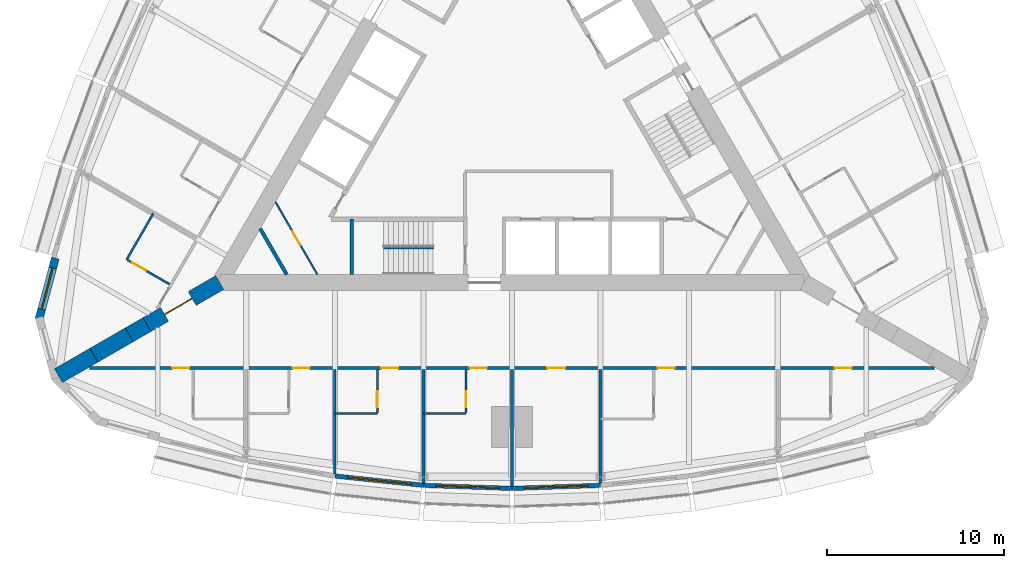
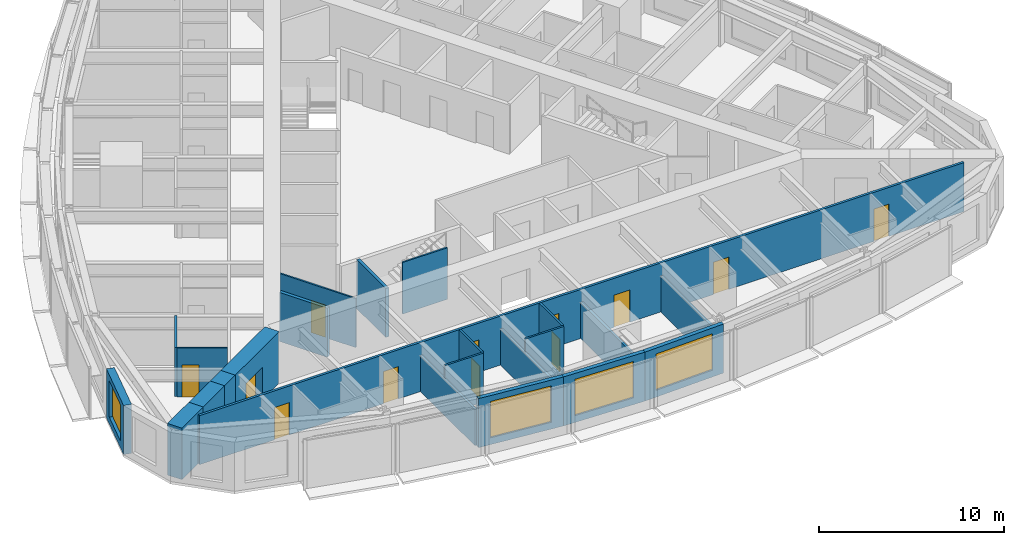
# One storey, part 8 of 14: 23 walls, 12 doors, 4 windows, 16 openings.
"""IFC4 building model written with IfcOpenShell, lengths in metres."""

from ifc_helpers import new_model, si_unit, direction, frame, frame_2d, origin, place, context, subcontext, project, spatial, rectangle, extrude, material, layer, layer_set, type_object, element, fill, save


model = new_model("IFC4")

# Units and contexts
model_context = context("Model", 3, precision=1e-05, world=origin(), true_north=direction((0.0, 1.0)))
body_context = subcontext(model_context, "Body", "Model", "MODEL_VIEW")
ifc_project = project(units=[si_unit("LENGTHUNIT", "METRE"), si_unit("AREAUNIT", "SQUARE_METRE"), si_unit("VOLUMEUNIT", "CUBIC_METRE"), si_unit("PLANEANGLEUNIT", "RADIAN"), si_unit("MASSUNIT", "GRAM", prefix="KILO")], contexts=[model_context])

# Site, building, storey
site_placement = place(None, origin())
site = spatial("IfcSite", under=ifc_project, at=site_placement, CompositionType="ELEMENT")
building_placement = place(site_placement, origin())
building = spatial("IfcBuilding", under=site, at=building_placement, Name="Trikona Tower", CompositionType="ELEMENT")
storey_placement = place(building_placement, frame((0.0, 0.0, 118.10009765625)))
storey = spatial("IfcBuildingStorey", under=building, at=storey_placement, Name="L30", CompositionType="ELEMENT", Elevation=118.10009765625)

# Wall
ifc_material_1 = material(Name="Metal stud and cement board", Category="gypsum")
ifc_layer_1 = layer(ifc_material_1, 0.1201171875)
ifc_layer_set_1 = layer_set([ifc_layer_1], Name="Bathroom wall 120")
wall_type_1 = type_object("IfcWallType", Name="Bathroom wall 120", PredefinedType="PLUMBINGWALL", material=ifc_layer_set_1)
wall_1_placement = place(storey_placement, frame((-10.0, -16.92626953125, 0.0), z_axis=(0.0, 0.0, 1.0), x_axis=(1.0, 0.0, 0.0)))
element("IfcWall", 1, at=wall_1_placement, inside=storey, type_object=wall_type_1, Name="Bathroom wall 3003", PredefinedType="PLUMBINGWALL", context=body_context, shape_type="SweptSolid", body=[
    extrude(rectangle(XDim=2.39990234375, YDim=0.1201171875, at=frame_2d((1.199951171875, 0.0))), origin(), (0.0, 0.0, 1.0), 3.23486328125),
])

# Wall, opening, door
wall_2_placement = place(storey_placement, frame((-7.60009765625, -14.42626953125, 0.0), z_axis=(0.0, 0.0, 1.0), x_axis=(0.0, -1.0, 0.0)))
wall_2 = element("IfcWall", 2, at=wall_2_placement, inside=storey, type_object=wall_type_1, Name="Bathroom wall 3003", PredefinedType="PLUMBINGWALL", context=body_context, shape_type="SweptSolid", body=[
    extrude(rectangle(XDim=2.43994140625, YDim=0.1201171875, at=frame_2d((1.219970703125, 0.0))), origin(), (0.0, 0.0, 1.0), 3.23486328125),
])
opening_1_placement = place(wall_2_placement, frame((1.25, 0.0, 0.0)))
opening_1 = element("IfcOpeningElement", 3, at=opening_1_placement, cuts=wall_2, Name="Opening D2", PredefinedType="OPENING", context=body_context, shape_type="SweptSolid", body=[
    extrude(rectangle(XDim=0.89990234375, YDim=2.1298828125, at=frame_2d((0.449951171875, 1.06494140625))), frame((0.0, 0.070068359375, 0.0), z_axis=(0.0, -1.0, 0.0), x_axis=(1.0, 0.0, 0.0)), (0.0, 0.0, 1.0), 0.14013671875),
])
ifc_material_2 = material(Name="Steel door frame with solid-core timber leaf", Category="steel")
door_type_1 = type_object("IfcDoorType", Name="Bathroom door 900x2130", OperationType="SLIDING_TO_LEFT", PredefinedType="DOOR", material=ifc_material_2)
door_1_placement = place(opening_1_placement, origin())
door_1 = element("IfcDoor", 4, at=door_1_placement, inside=storey, type_object=door_type_1, Name="Bathroom door 3003", OperationType="SLIDING_TO_LEFT", OverallHeight=2.1298828125, OverallWidth=0.89990234375, PredefinedType="DOOR", context=body_context, shape_type="SweptSolid", body=[
    extrude(rectangle(XDim=0.89990234375, YDim=2.1298828125, at=frame_2d((0.449951171875, 1.06494140625))), frame((0.0, 0.02490234375, 0.0), z_axis=(0.0, -1.0, 0.0), x_axis=(1.0, 0.0, 0.0)), (0.0, 0.0, 1.0), 0.050048828125),
])
fill(opening_1, door_1)

# Wall
wall_3_placement = place(storey_placement, frame((-5.0, -16.92626953125, 0.0), z_axis=(0.0, 0.0, 1.0), x_axis=(1.0, 0.0, 0.0)))
element("IfcWall", 5, at=wall_3_placement, inside=storey, type_object=wall_type_1, Name="Bathroom wall 3004", PredefinedType="PLUMBINGWALL", context=body_context, shape_type="SweptSolid", body=[
    extrude(rectangle(XDim=2.39990234375, YDim=0.1201171875, at=frame_2d((1.199951171875, 0.0))), origin(), (0.0, 0.0, 1.0), 3.23486328125),
])

# Wall, opening, door
wall_4_placement = place(storey_placement, frame((-2.60009765625, -14.42626953125, 0.0), z_axis=(0.0, 0.0, 1.0), x_axis=(0.0, -1.0, 0.0)))
wall_4 = element("IfcWall", 6, at=wall_4_placement, inside=storey, type_object=wall_type_1, Name="Bathroom wall 3004", PredefinedType="PLUMBINGWALL", context=body_context, shape_type="SweptSolid", body=[
    extrude(rectangle(XDim=2.43994140625, YDim=0.1201171875, at=frame_2d((1.219970703125, 0.0))), origin(), (0.0, 0.0, 1.0), 3.23486328125),
])
opening_2_placement = place(wall_4_placement, frame((1.25, 0.0, 0.0)))
opening_2 = element("IfcOpeningElement", 7, at=opening_2_placement, cuts=wall_4, Name="Opening D2", PredefinedType="OPENING", context=body_context, shape_type="SweptSolid", body=[
    extrude(rectangle(XDim=0.89990234375, YDim=2.1298828125, at=frame_2d((0.449951171875, 1.06494140625))), frame((0.0, 0.070068359375, 0.0), z_axis=(0.0, -1.0, 0.0), x_axis=(1.0, 0.0, 0.0)), (0.0, 0.0, 1.0), 0.14013671875),
])
door_2_placement = place(opening_2_placement, origin())
door_2 = element("IfcDoor", 8, at=door_2_placement, inside=storey, type_object=door_type_1, Name="Bathroom door 3004", OperationType="SLIDING_TO_LEFT", OverallHeight=2.1298828125, OverallWidth=0.89990234375, PredefinedType="DOOR", context=body_context, shape_type="SweptSolid", body=[
    extrude(rectangle(XDim=0.89990234375, YDim=2.1298828125, at=frame_2d((0.449951171875, 1.06494140625))), frame((0.0, 0.02490234375, 0.0), z_axis=(0.0, -1.0, 0.0), x_axis=(1.0, 0.0, 0.0)), (0.0, 0.0, 1.0), 0.050048828125),
])
fill(opening_2, door_2)

# Wall
wall_5_placement = place(storey_placement, frame((-20.25341796875, -5.627197265625, 0.0), z_axis=(0.0, 0.0, 1.0), x_axis=(-0.499990139034, -0.866031096941, 0.0)))
element("IfcWall", 9, at=wall_5_placement, inside=storey, type_object=wall_type_1, Name="Bathroom wall 3019", PredefinedType="PLUMBINGWALL", context=body_context, shape_type="SweptSolid", body=[
    extrude(rectangle(XDim=3.0, YDim=0.1201171875, at=frame_2d((1.5, 0.0))), origin(), (0.0, 0.0, 1.0), 3.23486328125),
])

# Wall, opening, door
wall_6_placement = place(storey_placement, frame((-19.32861328125, -9.625244140625, 0.0), z_axis=(0.0, 0.0, 1.0), x_axis=(-0.866035715982, 0.499982138324, 0.0)))
wall_6 = element("IfcWall", 10, at=wall_6_placement, inside=storey, type_object=wall_type_1, Name="Bathroom wall 3019", PredefinedType="PLUMBINGWALL", context=body_context, shape_type="SweptSolid", body=[
    extrude(rectangle(XDim=2.73974609375, YDim=0.1201171875, at=frame_2d((1.369873046875, 0.0))), origin(), (0.0, 0.0, 1.0), 3.23486328125),
])
opening_3_placement = place(wall_6_placement, frame((1.550048828125, 0.0, 0.0)))
opening_3 = element("IfcOpeningElement", 11, at=opening_3_placement, cuts=wall_6, Name="Opening D2", PredefinedType="OPENING", context=body_context, shape_type="SweptSolid", body=[
    extrude(rectangle(XDim=0.89990234375, YDim=2.1298828125, at=frame_2d((0.449951171875, 1.06494140625))), frame((0.0, 0.070068359375, 0.0), z_axis=(0.0, -1.0, 0.0), x_axis=(1.0, 0.0, 0.0)), (0.0, 0.0, 1.0), 0.14013671875),
])
door_3_placement = place(opening_3_placement, origin())
door_3 = element("IfcDoor", 12, at=door_3_placement, inside=storey, type_object=door_type_1, Name="Bathroom door 3019", OperationType="SLIDING_TO_LEFT", OverallHeight=2.1298828125, OverallWidth=0.89990234375, PredefinedType="DOOR", context=body_context, shape_type="SweptSolid", body=[
    extrude(rectangle(XDim=0.89990234375, YDim=2.1298828125, at=frame_2d((0.449951171875, 1.06494140625))), frame((0.0, 0.02490234375, 0.0), z_axis=(0.0, -1.0, 0.0), x_axis=(1.0, 0.0, 0.0)), (0.0, 0.0, 1.0), 0.050048828125),
])
fill(opening_3, door_3)

# Wall, opening, window
ifc_material_3 = material(Name="Brick-faced precast concrete", Category="masonry")
ifc_layer_2 = layer(ifc_material_3, 0.449951171875)
ifc_layer_set_2 = layer_set([ifc_layer_2], Name="Brick-faced corner wall 450")
wall_type_2 = type_object("IfcWallType", Name="Brick-faced corner wall 450", PredefinedType="SOLIDWALL", material=ifc_layer_set_2)
wall_7_placement = place(storey_placement, frame((-25.78271484375, -8.14111328125, 0.0), z_axis=(0.0, 0.0, 1.0), x_axis=(-0.258823421857, -0.965924653531, 0.0)))
wall_7 = element("IfcWall", 13, at=wall_7_placement, inside=storey, type_object=wall_type_2, Name="External wall L30-32", PredefinedType="SOLIDWALL", context=body_context, shape_type="SweptSolid", body=[
    extrude(rectangle(XDim=3.58642578125, YDim=0.449951171875, at=frame_2d((1.793212890625, 0.0))), origin(), (0.0, 0.0, 1.0), 3.23486328125),
])
opening_4_placement = place(wall_7_placement, frame((0.593017578125, 0.0, 0.449951171875)))
opening_4 = element("IfcOpeningElement", 14, at=opening_4_placement, cuts=wall_7, Name="Opening W2424", PredefinedType="OPENING", context=body_context, shape_type="SweptSolid", body=[
    extrude(rectangle(XDim=2.39990234375, YDim=2.39990234375, at=frame_2d((1.199951171875, 1.199951171875))), frame((0.0, 0.23486328125, 0.0), z_axis=(0.0, -1.0, 0.0), x_axis=(1.0, 0.0, 0.0)), (0.0, 0.0, 1.0), 0.469970703125),
])
ifc_material_4 = material(Name="Aluminium-framed double glazing", Category="aluminium")
window_type_1 = type_object("IfcWindowType", Name="Window 2400x2400", PartitioningType="SINGLE_PANEL", PredefinedType="WINDOW", material=ifc_material_4)
window_1_placement = place(opening_4_placement, origin())
window_1 = element("IfcWindow", 15, at=window_1_placement, inside=storey, type_object=window_type_1, Name="Window 3019", OverallHeight=2.39990234375, OverallWidth=2.39990234375, PartitioningType="SINGLE_PANEL", PredefinedType="WINDOW", context=body_context, shape_type="SweptSolid", body=[
    extrude(rectangle(XDim=2.39990234375, YDim=2.39990234375, at=frame_2d((1.199951171875, 1.199951171875))), frame((0.0, 0.030029296875, 0.0), z_axis=(0.0, -1.0, 0.0), x_axis=(1.0, 0.0, 0.0)), (0.0, 0.0, 1.0), 0.06005859375),
])
fill(opening_4, window_1)

# Wall, opening, door
ifc_material_5 = material(Name="Concrete f'c 10000 psi", Category="concrete")
ifc_layer_3 = layer(ifc_material_5, 0.89990234375)
ifc_layer_set_3 = layer_set([ifc_layer_3], Name="Buttress wall 900")
wall_type_3 = type_object("IfcWallType", Name="Buttress wall 900", PredefinedType="SHEAR", material=ifc_layer_set_3)
wall_8_placement = place(storey_placement, frame((-16.5, -9.5263671875, 0.0), z_axis=(0.0, 0.0, 1.0), x_axis=(-0.866031398331, -0.499989616998, 0.0)))
wall_8 = element("IfcWall", 16, at=wall_8_placement, inside=storey, type_object=wall_type_3, Name="Buttress wall 3", PredefinedType="SHEAR", context=body_context, shape_type="SweptSolid", body=[
    extrude(rectangle(XDim=4.74609375, YDim=0.89990234375, at=frame_2d((2.373046875, 0.0))), origin(), (0.0, 0.0, 1.0), 3.39990234375),
])
opening_5_placement = place(wall_8_placement, frame((1.800048828125, 0.0, 0.0)))
opening_5 = element("IfcOpeningElement", 17, at=opening_5_placement, cuts=wall_8, Name="Opening D10", PredefinedType="OPENING", context=body_context, shape_type="SweptSolid", body=[
    extrude(rectangle(XDim=1.800048828125, YDim=2.1298828125, at=frame_2d((0.89990234375, 1.06494140625))), frame((0.0, 0.4599609375, 0.0), z_axis=(0.0, -1.0, 0.0), x_axis=(1.0, 0.0, 0.0)), (0.0, 0.0, 1.0), 0.919921875),
])
ifc_material_6 = material(Name="Hollow metal door and frame", Category="steel")
door_type_2 = type_object("IfcDoorType", Name="Cross-corridor door pair 1800x2130", OperationType="DOUBLE_DOOR_DOUBLE_SWING", PredefinedType="DOOR", material=ifc_material_6)
door_4_placement = place(opening_5_placement, origin())
door_4 = element("IfcDoor", 18, at=door_4_placement, inside=storey, type_object=door_type_2, Name="Cross-corridor door 3", OperationType="DOUBLE_DOOR_DOUBLE_SWING", OverallHeight=2.1298828125, OverallWidth=1.800048828125, PredefinedType="DOOR", context=body_context, shape_type="SweptSolid", body=[
    extrude(rectangle(XDim=1.800048828125, YDim=2.1298828125, at=frame_2d((0.89990234375, 1.06494140625))), frame((0.0, 0.02490234375, 0.0), z_axis=(0.0, -1.0, 0.0), x_axis=(1.0, 0.0, 0.0)), (0.0, 0.0, 1.0), 0.050048828125),
])
fill(opening_5, door_4)

# Walls
wall_9_placement = place(storey_placement, frame((-20.6103515625, -11.8994140625, 0.0), z_axis=(0.0, 0.0, 1.0), x_axis=(-0.866009537788, -0.500027479704, 0.0)))
element("IfcWall", 19, at=wall_9_placement, inside=storey, type_object=wall_type_3, Name="Buttress wall 3 part 2", PredefinedType="SHEAR", context=body_context, shape_type="SweptSolid", body=[
    extrude(rectangle(XDim=1.15478515625, YDim=0.89990234375, at=frame_2d((0.577392578125, 0.0))), origin(), (0.0, 0.0, 1.0), 3.39990234375),
])
for number, where, z_axis, x_axis, name in (
    (20, (-21.6103515625, -12.476806640625, 0.0), (0.0, 0.0, 1.0), (-0.866055313784, -0.499948190782, 0.0), "Buttress wall 3 part 3"),
    (21, (-23.6103515625, -13.63134765625, 0.0), (0.0, 0.0, 1.0), (-0.866009537788, -0.500027479704, 0.0), "Buttress wall 3 part 4"),
):
    element("IfcWall", number, at=place(storey_placement, frame(where, z_axis=z_axis, x_axis=x_axis)), inside=storey, type_object=wall_type_3, Name=name, PredefinedType="SHEAR", context=body_context, shape_type="SweptSolid", body=[
        extrude(rectangle(XDim=2.309326171875, YDim=0.89990234375, at=frame_2d((1.15478515625, 0.0))), origin(), (0.0, 0.0, 1.0), 3.39990234375),
    ])

# Wall, openings, doors
ifc_material_7 = material(Name="Metal stud and gypsum board, 1-hour", Category="gypsum")
ifc_layer_4 = layer(ifc_material_7, 0.14990234375)
ifc_layer_set_4 = layer_set([ifc_layer_4], Name="Corridor wall 150")
wall_type_4 = type_object("IfcWallType", Name="Corridor wall 150", PredefinedType="PARTITIONING", material=ifc_layer_set_4)
wall_10_placement = place(storey_placement, frame((-23.857177734375, -14.351318359375, 0.0), z_axis=(0.0, 0.0, 1.0), x_axis=(1.0, 0.0, 0.0)))
wall_10 = element("IfcWall", 22, at=wall_10_placement, inside=storey, type_object=wall_type_4, Name="Corridor wall L30-1", PredefinedType="PARTITIONING", context=body_context, shape_type="SweptSolid", body=[
    extrude(rectangle(XDim=47.71435546875, YDim=0.14990234375, at=frame_2d((23.857177734375, 0.0))), origin(), (0.0, 0.0, 1.0), 3.23486328125),
])
opening_6_placement = place(wall_10_placement, frame((4.68212890625, 0.0, 0.0)))
opening_6 = element("IfcOpeningElement", 23, at=opening_6_placement, cuts=wall_10, Name="Opening D1", PredefinedType="OPENING", context=body_context, shape_type="SweptSolid", body=[
    extrude(rectangle(XDim=0.949951171875, YDim=2.1298828125, at=frame_2d((0.47509765625, 1.06494140625))), frame((0.0, 0.0849609375, 0.0), z_axis=(0.0, -1.0, 0.0), x_axis=(1.0, 0.0, 0.0)), (0.0, 0.0, 1.0), 0.169921875),
])
opening_7_placement = place(wall_10_placement, frame((11.482177734375, 0.0, 0.0)))
opening_7 = element("IfcOpeningElement", 24, at=opening_7_placement, cuts=wall_10, Name="Opening D1", PredefinedType="OPENING", context=body_context, shape_type="SweptSolid", body=[
    extrude(rectangle(XDim=0.949951171875, YDim=2.1298828125, at=frame_2d((0.47509765625, 1.06494140625))), frame((0.0, 0.0849609375, 0.0), z_axis=(0.0, -1.0, 0.0), x_axis=(1.0, 0.0, 0.0)), (0.0, 0.0, 1.0), 0.169921875),
])
opening_8_placement = place(wall_10_placement, frame((16.482177734375, 0.0, 0.0)))
opening_8 = element("IfcOpeningElement", 25, at=opening_8_placement, cuts=wall_10, Name="Opening D1", PredefinedType="OPENING", context=body_context, shape_type="SweptSolid", body=[
    extrude(rectangle(XDim=0.949951171875, YDim=2.1298828125, at=frame_2d((0.47509765625, 1.06494140625))), frame((0.0, 0.0849609375, 0.0), z_axis=(0.0, -1.0, 0.0), x_axis=(1.0, 0.0, 0.0)), (0.0, 0.0, 1.0), 0.169921875),
])
opening_9_placement = place(wall_10_placement, frame((21.482177734375, 0.0, 0.0)))
opening_9 = element("IfcOpeningElement", 26, at=opening_9_placement, cuts=wall_10, Name="Opening D1", PredefinedType="OPENING", context=body_context, shape_type="SweptSolid", body=[
    extrude(rectangle(XDim=0.949951171875, YDim=2.1298828125, at=frame_2d((0.47509765625, 1.06494140625))), frame((0.0, 0.0849609375, 0.0), z_axis=(0.0, -1.0, 0.0), x_axis=(1.0, 0.0, 0.0)), (0.0, 0.0, 1.0), 0.169921875),
])
opening_10_placement = place(wall_10_placement, frame((25.857177734375, 0.0, 0.0)))
opening_10 = element("IfcOpeningElement", 27, at=opening_10_placement, cuts=wall_10, Name="Opening D3", PredefinedType="OPENING", context=body_context, shape_type="SweptSolid", body=[
    extrude(rectangle(XDim=1.0, YDim=2.1298828125, at=frame_2d((0.5, 1.06494140625))), frame((0.0, 0.0849609375, 0.0), z_axis=(0.0, -1.0, 0.0), x_axis=(1.0, 0.0, 0.0)), (0.0, 0.0, 1.0), 0.169921875),
])
opening_11_placement = place(wall_10_placement, frame((32.08203125, 0.0, 0.0)))
opening_11 = element("IfcOpeningElement", 28, at=opening_11_placement, cuts=wall_10, Name="Opening D1", PredefinedType="OPENING", context=body_context, shape_type="SweptSolid", body=[
    extrude(rectangle(XDim=0.949951171875, YDim=2.1298828125, at=frame_2d((0.47509765625, 1.06494140625))), frame((0.0, 0.0849609375, 0.0), z_axis=(0.0, -1.0, 0.0), x_axis=(1.0, 0.0, 0.0)), (0.0, 0.0, 1.0), 0.169921875),
])
opening_12_placement = place(wall_10_placement, frame((42.08203125, 0.0, 0.0)))
opening_12 = element("IfcOpeningElement", 29, at=opening_12_placement, cuts=wall_10, Name="Opening D1", PredefinedType="OPENING", context=body_context, shape_type="SweptSolid", body=[
    extrude(rectangle(XDim=0.949951171875, YDim=2.1298828125, at=frame_2d((0.47509765625, 1.06494140625))), frame((0.0, 0.0849609375, 0.0), z_axis=(0.0, -1.0, 0.0), x_axis=(1.0, 0.0, 0.0)), (0.0, 0.0, 1.0), 0.169921875),
])
ifc_material_8 = material(Name="Steel door frame with solid-core timber leaf", Category="steel")
door_type_3 = type_object("IfcDoorType", Name="Guest room door 950x2130", OperationType="SINGLE_SWING_LEFT", PredefinedType="DOOR", material=ifc_material_8)
door_5_placement = place(opening_6_placement, origin())
door_5 = element("IfcDoor", 30, at=door_5_placement, inside=storey, type_object=door_type_3, Name="Room door 3001", OperationType="SINGLE_SWING_LEFT", OverallHeight=2.1298828125, OverallWidth=0.949951171875, PredefinedType="DOOR", context=body_context, shape_type="SweptSolid", body=[
    extrude(rectangle(XDim=0.949951171875, YDim=2.1298828125, at=frame_2d((0.47509765625, 1.06494140625))), frame((0.0, 0.02490234375, 0.0), z_axis=(0.0, -1.0, 0.0), x_axis=(1.0, 0.0, 0.0)), (0.0, 0.0, 1.0), 0.050048828125),
])
fill(opening_6, door_5)
door_6_placement = place(opening_7_placement, origin())
door_6 = element("IfcDoor", 31, at=door_6_placement, inside=storey, type_object=door_type_3, Name="Room door 3002", OperationType="SINGLE_SWING_RIGHT", OverallHeight=2.1298828125, OverallWidth=0.949951171875, PredefinedType="DOOR", context=body_context, shape_type="SweptSolid", body=[
    extrude(rectangle(XDim=0.949951171875, YDim=2.1298828125, at=frame_2d((0.47509765625, 1.06494140625))), frame((0.0, 0.02490234375, 0.0), z_axis=(0.0, -1.0, 0.0), x_axis=(1.0, 0.0, 0.0)), (0.0, 0.0, 1.0), 0.050048828125),
])
fill(opening_7, door_6)
door_7_placement = place(opening_8_placement, origin())
door_7 = element("IfcDoor", 32, at=door_7_placement, inside=storey, type_object=door_type_3, Name="Room door 3003", OperationType="SINGLE_SWING_LEFT", OverallHeight=2.1298828125, OverallWidth=0.949951171875, PredefinedType="DOOR", context=body_context, shape_type="SweptSolid", body=[
    extrude(rectangle(XDim=0.949951171875, YDim=2.1298828125, at=frame_2d((0.47509765625, 1.06494140625))), frame((0.0, 0.02490234375, 0.0), z_axis=(0.0, -1.0, 0.0), x_axis=(1.0, 0.0, 0.0)), (0.0, 0.0, 1.0), 0.050048828125),
])
fill(opening_8, door_7)
door_8_placement = place(opening_9_placement, origin())
door_8 = element("IfcDoor", 33, at=door_8_placement, inside=storey, type_object=door_type_3, Name="Room door 3004", OperationType="SINGLE_SWING_RIGHT", OverallHeight=2.1298828125, OverallWidth=0.949951171875, PredefinedType="DOOR", context=body_context, shape_type="SweptSolid", body=[
    extrude(rectangle(XDim=0.949951171875, YDim=2.1298828125, at=frame_2d((0.47509765625, 1.06494140625))), frame((0.0, 0.02490234375, 0.0), z_axis=(0.0, -1.0, 0.0), x_axis=(1.0, 0.0, 0.0)), (0.0, 0.0, 1.0), 0.050048828125),
])
fill(opening_9, door_8)
door_9_placement = place(opening_11_placement, origin())
door_9 = element("IfcDoor", 34, at=door_9_placement, inside=storey, type_object=door_type_3, Name="Room door 3005", OperationType="SINGLE_SWING_RIGHT", OverallHeight=2.1298828125, OverallWidth=0.949951171875, PredefinedType="DOOR", context=body_context, shape_type="SweptSolid", body=[
    extrude(rectangle(XDim=0.949951171875, YDim=2.1298828125, at=frame_2d((0.47509765625, 1.06494140625))), frame((0.0, 0.02490234375, 0.0), z_axis=(0.0, -1.0, 0.0), x_axis=(1.0, 0.0, 0.0)), (0.0, 0.0, 1.0), 0.050048828125),
])
fill(opening_11, door_9)
door_10_placement = place(opening_12_placement, origin())
door_10 = element("IfcDoor", 35, at=door_10_placement, inside=storey, type_object=door_type_3, Name="Room door 3006", OperationType="SINGLE_SWING_LEFT", OverallHeight=2.1298828125, OverallWidth=0.949951171875, PredefinedType="DOOR", context=body_context, shape_type="SweptSolid", body=[
    extrude(rectangle(XDim=0.949951171875, YDim=2.1298828125, at=frame_2d((0.47509765625, 1.06494140625))), frame((0.0, 0.02490234375, 0.0), z_axis=(0.0, -1.0, 0.0), x_axis=(1.0, 0.0, 0.0)), (0.0, 0.0, 1.0), 0.050048828125),
])
fill(opening_12, door_10)
ifc_material_9 = material(Name="Steel door frame with solid-core timber leaf", Category="steel")
door_type_4 = type_object("IfcDoorType", Name="Room door 1000x2130", OperationType="SINGLE_SWING_LEFT", PredefinedType="DOOR", material=ifc_material_9)
door_11_placement = place(opening_10_placement, origin())
door_11 = element("IfcDoor", 36, at=door_11_placement, inside=storey, type_object=door_type_4, Name="Door Housekeeping pantry", OperationType="SINGLE_SWING_LEFT", OverallHeight=2.1298828125, OverallWidth=1.0, PredefinedType="DOOR", context=body_context, shape_type="SweptSolid", body=[
    extrude(rectangle(XDim=1.0, YDim=2.1298828125, at=frame_2d((0.5, 1.06494140625))), frame((0.0, 0.02490234375, 0.0), z_axis=(0.0, -1.0, 0.0), x_axis=(1.0, 0.0, 0.0)), (0.0, 0.0, 1.0), 0.050048828125),
])
fill(opening_10, door_11)

# Wall, opening, window
ifc_material_10 = material(Name="Insulated precast concrete spandrel panel", Category="concrete")
ifc_layer_5 = layer(ifc_material_10, 0.25)
ifc_layer_set_5 = layer_set([ifc_layer_5], Name="Inner skin wall 250")
wall_type_5 = type_object("IfcWallType", Name="Inner skin wall 250", PredefinedType="STANDARD", material=ifc_layer_set_5)
wall_11_placement = place(storey_placement, frame((-9.98681640625, -20.450927734375, 0.0), z_axis=(0.0, 0.0, 1.0), x_axis=(0.994534683851, -0.104406717299, 0.0)))
wall_11 = element("IfcWall", 37, at=wall_11_placement, inside=storey, type_object=wall_type_5, Name="External wall L30-02", PredefinedType="STANDARD", context=body_context, shape_type="SweptSolid", body=[
    extrude(rectangle(XDim=5.027587890625, YDim=0.25, at=frame_2d((2.513671875, 0.0))), origin(), (0.0, 0.0, 1.0), 3.23486328125),
])
opening_13_placement = place(wall_11_placement, frame((0.713623046875, 0.0, 0.449951171875)))
opening_13 = element("IfcOpeningElement", 38, at=opening_13_placement, cuts=wall_11, Name="Opening W3624", PredefinedType="OPENING", context=body_context, shape_type="SweptSolid", body=[
    extrude(rectangle(XDim=3.60009765625, YDim=2.39990234375, at=frame_2d((1.800048828125, 1.199951171875))), frame((0.0, 0.135009765625, 0.0), z_axis=(0.0, -1.0, 0.0), x_axis=(1.0, 0.0, 0.0)), (0.0, 0.0, 1.0), 0.27001953125),
])
ifc_material_11 = material(Name="Aluminium-framed double glazing", Category="aluminium")
window_type_2 = type_object("IfcWindowType", Name="Window 3600x2400", PartitioningType="SINGLE_PANEL", PredefinedType="WINDOW", material=ifc_material_11)
window_2_placement = place(opening_13_placement, origin())
window_2 = element("IfcWindow", 39, at=window_2_placement, inside=storey, type_object=window_type_2, Name="Window 3003", OverallHeight=2.39990234375, OverallWidth=3.60009765625, PartitioningType="SINGLE_PANEL", PredefinedType="WINDOW", context=body_context, shape_type="SweptSolid", body=[
    extrude(rectangle(XDim=3.60009765625, YDim=2.39990234375, at=frame_2d((1.800048828125, 1.199951171875))), frame((0.0, 0.030029296875, 0.0), z_axis=(0.0, -1.0, 0.0), x_axis=(1.0, 0.0, 0.0)), (0.0, 0.0, 1.0), 0.06005859375),
])
fill(opening_13, window_2)

wall_12_placement = place(storey_placement, frame((-4.99560546875, -20.975341796875, 0.0), z_axis=(0.0, 0.0, 1.0), x_axis=(0.999387720943, -0.034988329879, 0.0)))
wall_12 = element("IfcWall", 40, at=wall_12_placement, inside=storey, type_object=wall_type_5, Name="External wall L30-03", PredefinedType="STANDARD", context=body_context, shape_type="SweptSolid", body=[
    extrude(rectangle(XDim=5.003173828125, YDim=0.25, at=frame_2d((2.50146484375, 0.0))), origin(), (0.0, 0.0, 1.0), 3.23486328125),
])
opening_14_placement = place(wall_12_placement, frame((0.701416015625, 0.0, 0.449951171875)))
opening_14 = element("IfcOpeningElement", 41, at=opening_14_placement, cuts=wall_12, Name="Opening W3624", PredefinedType="OPENING", context=body_context, shape_type="SweptSolid", body=[
    extrude(rectangle(XDim=3.60009765625, YDim=2.39990234375, at=frame_2d((1.800048828125, 1.199951171875))), frame((0.0, 0.135009765625, 0.0), z_axis=(0.0, -1.0, 0.0), x_axis=(1.0, 0.0, 0.0)), (0.0, 0.0, 1.0), 0.27001953125),
])
window_3_placement = place(opening_14_placement, origin())
window_3 = element("IfcWindow", 42, at=window_3_placement, inside=storey, type_object=window_type_2, Name="Window 3004", OverallHeight=2.39990234375, OverallWidth=3.60009765625, PartitioningType="SINGLE_PANEL", PredefinedType="WINDOW", context=body_context, shape_type="SweptSolid", body=[
    extrude(rectangle(XDim=3.60009765625, YDim=2.39990234375, at=frame_2d((1.800048828125, 1.199951171875))), frame((0.0, 0.030029296875, 0.0), z_axis=(0.0, -1.0, 0.0), x_axis=(1.0, 0.0, 0.0)), (0.0, 0.0, 1.0), 0.06005859375),
])
fill(opening_14, window_3)

wall_13_placement = place(storey_placement, frame((-0.00439453125, -21.150390625, 0.0), z_axis=(0.0, 0.0, 1.0), x_axis=(0.999387720943, 0.034988329879, 0.0)))
wall_13 = element("IfcWall", 43, at=wall_13_placement, inside=storey, type_object=wall_type_5, Name="External wall L30-04", PredefinedType="STANDARD", context=body_context, shape_type="SweptSolid", body=[
    extrude(rectangle(XDim=5.003173828125, YDim=0.25, at=frame_2d((2.50146484375, 0.0))), origin(), (0.0, 0.0, 1.0), 3.23486328125),
])
opening_15_placement = place(wall_13_placement, frame((0.701416015625, 0.0, 0.449951171875)))
opening_15 = element("IfcOpeningElement", 44, at=opening_15_placement, cuts=wall_13, Name="Opening W3624", PredefinedType="OPENING", context=body_context, shape_type="SweptSolid", body=[
    extrude(rectangle(XDim=3.60009765625, YDim=2.39990234375, at=frame_2d((1.800048828125, 1.199951171875))), frame((0.0, 0.135009765625, 0.0), z_axis=(0.0, -1.0, 0.0), x_axis=(1.0, 0.0, 0.0)), (0.0, 0.0, 1.0), 0.27001953125),
])
window_4_placement = place(opening_15_placement, origin())
window_4 = element("IfcWindow", 45, at=window_4_placement, inside=storey, type_object=window_type_2, Name="Window L30-HKP", OverallHeight=2.39990234375, OverallWidth=3.60009765625, PartitioningType="SINGLE_PANEL", PredefinedType="WINDOW", context=body_context, shape_type="SweptSolid", body=[
    extrude(rectangle(XDim=3.60009765625, YDim=2.39990234375, at=frame_2d((1.800048828125, 1.199951171875))), frame((0.0, 0.030029296875, 0.0), z_axis=(0.0, -1.0, 0.0), x_axis=(1.0, 0.0, 0.0)), (0.0, 0.0, 1.0), 0.06005859375),
])
fill(opening_15, window_4)

# Walls
ifc_material_12 = material(Name="Metal stud and gypsum board, 1-hour acoustic", Category="gypsum")
ifc_layer_6 = layer(ifc_material_12, 0.14990234375)
ifc_layer_set_6 = layer_set([ifc_layer_6], Name="Party wall 150")
wall_type_6 = type_object("IfcWallType", Name="Party wall 150", PredefinedType="PARTITIONING", material=ifc_layer_set_6)
wall_14_placement = place(storey_placement, frame((-10.0, -14.42626953125, 0.0), z_axis=(0.0, 0.0, 1.0), x_axis=(0.0, -1.0, 0.0)))
element("IfcWall", 46, at=wall_14_placement, inside=storey, type_object=wall_type_6, Name="Partition L30 F1 u-10", PredefinedType="PARTITIONING", context=body_context, shape_type="SweptSolid", body=[
    extrude(rectangle(XDim=5.89501953125, YDim=0.14990234375, at=frame_2d((2.947509765625, 0.0))), origin(), (0.0, 0.0, 1.0), 2.38916015625),
])
wall_15_placement = place(storey_placement, frame((-5.0, -14.42626953125, 0.0), z_axis=(0.0, 0.0, 1.0), x_axis=(0.0, -1.0, 0.0)))
element("IfcWall", 47, at=wall_15_placement, inside=storey, type_object=wall_type_6, Name="Partition L30 F1 u-5", PredefinedType="PARTITIONING", context=body_context, shape_type="SweptSolid", body=[
    extrude(rectangle(XDim=6.422607421875, YDim=0.14990234375, at=frame_2d((3.21142578125, 0.0))), origin(), (0.0, 0.0, 1.0), 2.38916015625),
])
wall_16_placement = place(storey_placement, frame((0.0, -14.42626953125, 0.0), z_axis=(0.0, 0.0, 1.0), x_axis=(0.0, -1.0, 0.0)))
element("IfcWall", 48, at=wall_16_placement, inside=storey, type_object=wall_type_6, Name="Partition L30 F1 u-9.86076e-31", PredefinedType="PARTITIONING", context=body_context, shape_type="SweptSolid", body=[
    extrude(rectangle(XDim=6.5986328125, YDim=0.14990234375, at=frame_2d((3.29931640625, 0.0))), origin(), (0.0, 0.0, 1.0), 2.38916015625),
])
wall_17_placement = place(storey_placement, frame((5.0, -14.42626953125, 0.0), z_axis=(0.0, 0.0, 1.0), x_axis=(0.0, -1.0, 0.0)))
element("IfcWall", 49, at=wall_17_placement, inside=storey, type_object=wall_type_6, Name="Partition L30 F1 u5", PredefinedType="PARTITIONING", context=body_context, shape_type="SweptSolid", body=[
    extrude(rectangle(XDim=6.422607421875, YDim=0.14990234375, at=frame_2d((3.21142578125, 0.0))), origin(), (0.0, 0.0, 1.0), 2.38916015625),
])
ifc_material_13 = material(Name="Concrete f'c 8000 psi", Category="concrete")
ifc_layer_7 = layer(ifc_material_13, 0.199951171875)
ifc_layer_set_7 = layer_set([ifc_layer_7], Name="Shaft wall 200")
wall_type_7 = type_object("IfcWallType", Name="Shaft wall 200", PredefinedType="SOLIDWALL", material=ifc_layer_set_7)
wall_18_placement = place(storey_placement, frame((-12.718505859375, -9.076416015625, 0.0), z_axis=(0.0, 0.0, 1.0), x_axis=(-0.499952404951, 0.866052881055, 0.0)))
element("IfcWall", 50, at=wall_18_placement, inside=storey, type_object=wall_type_7, Name="Riser wall L30-RS3", PredefinedType="SOLIDWALL", context=body_context, shape_type="SweptSolid", body=[
    extrude(rectangle(XDim=3.002197265625, YDim=0.199951171875, at=frame_2d((1.5009765625, 0.0))), origin(), (0.0, 0.0, 1.0), 3.23486328125),
])
ifc_material_14 = material(Name="Concrete f'c 8000 psi", Category="concrete")
ifc_layer_8 = layer(ifc_material_14, 0.199951171875)
ifc_layer_set_8 = layer_set([ifc_layer_8], Name="Shaft wall 200 load-bearing")
wall_type_8 = type_object("IfcWallType", Name="Shaft wall 200 load-bearing", PredefinedType="SOLIDWALL", material=ifc_layer_set_8)
wall_19_placement = place(storey_placement, frame((-9.050048828125, -5.951416015625, 0.0), z_axis=(0.0, 0.0, 1.0), x_axis=(0.0, -1.0, 0.0)))
element("IfcWall", 51, at=wall_19_placement, inside=storey, type_object=wall_type_8, Name="Shaft wall A1", PredefinedType="SOLIDWALL", context=body_context, shape_type="SweptSolid", body=[
    extrude(rectangle(XDim=3.125, YDim=0.199951171875, at=frame_2d((1.5625, 0.0))), origin(), (0.0, 0.0, 1.0), 3.23486328125),
])
ifc_material_15 = material(Name="Concrete f'c 5000 psi", Category="concrete")
ifc_layer_9 = layer(ifc_material_15, 0.10009765625)
ifc_layer_set_9 = layer_set([ifc_layer_9], Name="Stair spine wall 100")
wall_type_9 = type_object("IfcWallType", Name="Stair spine wall 100", PredefinedType="SOLIDWALL", material=ifc_layer_set_9)
wall_20_placement = place(storey_placement, frame((-7.2470703125, -7.576416015625, 0.0), z_axis=(0.0, 0.0, 1.0), x_axis=(1.0, 0.0, 0.0)))
element("IfcWall", 52, at=wall_20_placement, inside=storey, type_object=wall_type_9, Name="Stair A spine wall L30", PredefinedType="SOLIDWALL", context=body_context, shape_type="SweptSolid", body=[
    extrude(rectangle(XDim=2.794189453125, YDim=0.10009765625, at=frame_2d((1.39697265625, 0.0))), origin(), (0.0, 0.0, 1.0), 3.39990234375),
])

# Wall, opening, door
ifc_material_16 = material(Name="Metal stud and gypsum board, acoustic", Category="gypsum")
ifc_layer_10 = layer(ifc_material_16, 0.10009765625)
ifc_layer_set_10 = layer_set([ifc_layer_10], Name="Suite partition 100")
wall_type_10 = type_object("IfcWallType", Name="Suite partition 100", PredefinedType="PARTITIONING", material=ifc_layer_set_10)
wall_21_placement = place(storey_placement, frame((-10.986328125, -9.076416015625, 0.0), z_axis=(0.0, 0.0, 1.0), x_axis=(-0.499999210213, 0.866025859768, 0.0)))
wall_21 = element("IfcWall", 53, at=wall_21_placement, inside=storey, type_object=wall_type_10, Name="Store partition L30-RS3", PredefinedType="PARTITIONING", context=body_context, shape_type="SweptSolid", body=[
    extrude(rectangle(XDim=4.734375, YDim=0.10009765625, at=frame_2d((2.3671875, 0.0))), origin(), (0.0, 0.0, 1.0), 3.23486328125),
])
opening_16_placement = place(wall_21_placement, frame((1.917236328125, 0.0, 0.0)))
opening_16 = element("IfcOpeningElement", 54, at=opening_16_placement, cuts=wall_21, Name="Opening D15", PredefinedType="OPENING", context=body_context, shape_type="SweptSolid", body=[
    extrude(rectangle(XDim=0.89990234375, YDim=2.1298828125, at=frame_2d((0.449951171875, 1.06494140625))), frame((0.0, 0.06005859375, 0.0), z_axis=(0.0, -1.0, 0.0), x_axis=(1.0, 0.0, 0.0)), (0.0, 0.0, 1.0), 0.1201171875),
])
ifc_material_17 = material(Name="Steel door frame with solid-core timber leaf", Category="steel")
door_type_5 = type_object("IfcDoorType", Name="Store door 900x2130", OperationType="SINGLE_SWING_LEFT", PredefinedType="DOOR", material=ifc_material_17)
door_12_placement = place(opening_16_placement, origin())
door_12 = element("IfcDoor", 55, at=door_12_placement, inside=storey, type_object=door_type_5, Name="Door Storage STO", OperationType="SINGLE_SWING_RIGHT", OverallHeight=2.1298828125, OverallWidth=0.89990234375, PredefinedType="DOOR", context=body_context, shape_type="SweptSolid", body=[
    extrude(rectangle(XDim=0.89990234375, YDim=2.1298828125, at=frame_2d((0.449951171875, 1.06494140625))), frame((0.0, 0.02490234375, 0.0), z_axis=(0.0, -1.0, 0.0), x_axis=(1.0, 0.0, 0.0)), (0.0, 0.0, 1.0), 0.050048828125),
])
fill(opening_16, door_12)

save(model, "model.ifc")
